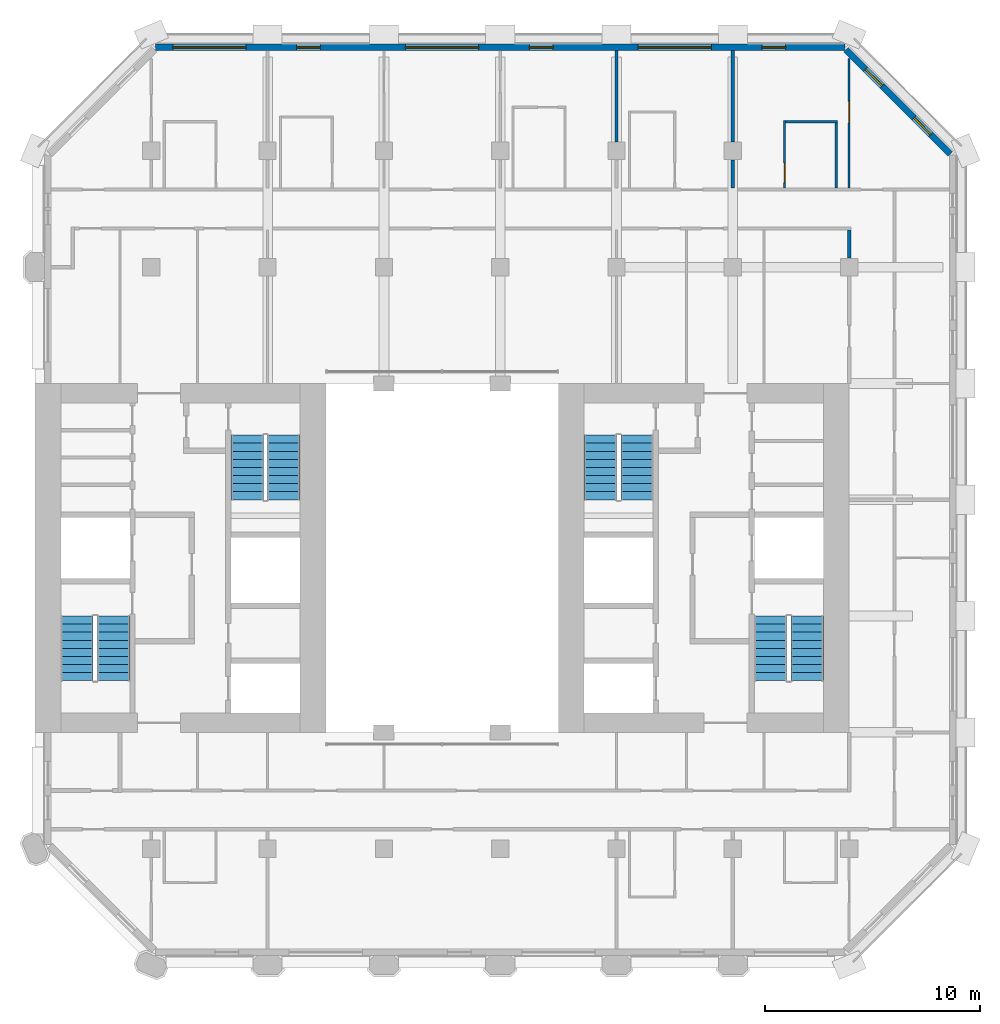
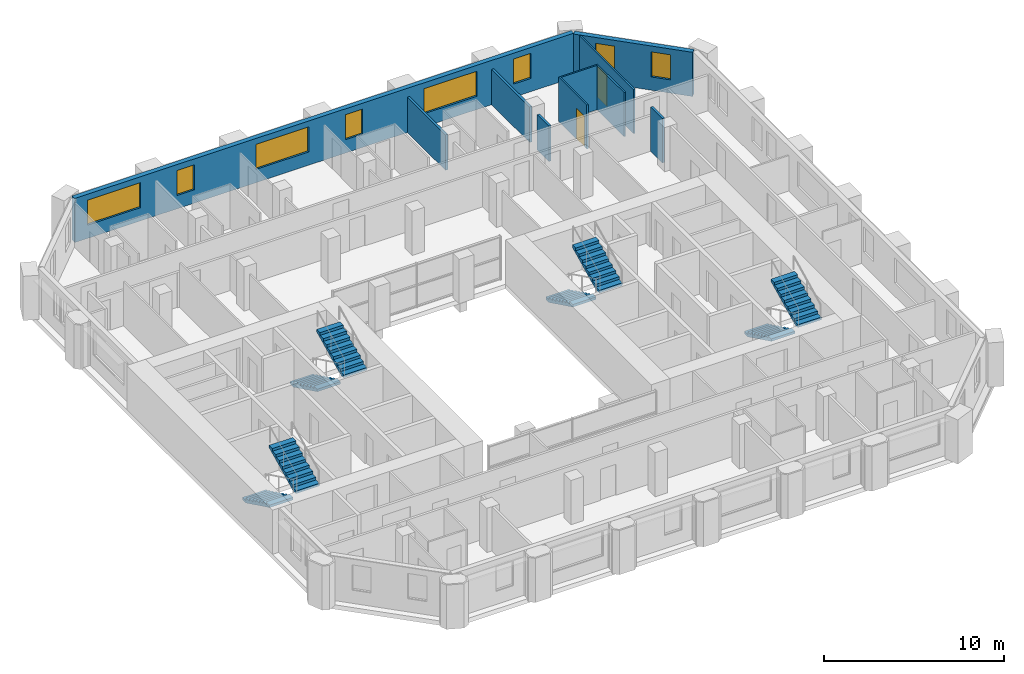
# One storey, part 9 of 12: 10 walls, 8 stair flights, 8 windows, 2 doors, 10 openings, 4 elements without a shape of their own.
"""IFC4 building model written with IfcOpenShell, lengths in metres."""

import ifcopenshell
import ifcopenshell.guid

model = None  # the IFC model being written
_history = None  # IfcOwnerHistory: only IFC2X3 demands one
_inside = {}  # id of a spatial element -> (the spatial element, [elements in it])
_under = {}  # id of a project, library or spatial element -> (it, [spatial elements below it])
_declared = {}  # id of a project -> (the project, [libraries it declares])
_typed = {}  # id of a type object -> (the type object, [elements of that type])
_made_of = {}  # id of a material, layer set ... -> (it, [elements and type objects made of it])


def new_model(schema):
    """Start an empty IFC model of exactly this schema.

    Asked for "IFC4X3", IfcOpenShell would pick the latest addendum, in which some entities
    have other attributes; the version numbers below select the first issue.
    IFC2X3 requires an IfcOwnerHistory on every rooted entity: one is made here for all.
    """
    global model, _history
    if schema == "IFC4X3":
        model = ifcopenshell.file(schema_version=(4, 3, 0, 0))
    else:
        model = ifcopenshell.file(schema=schema)
    _inside.clear()
    _under.clear()
    _declared.clear()
    _typed.clear()
    _made_of.clear()
    _history = None
    if model.schema == "IFC2X3":
        org = make("IfcOrganization", Name="unknown")
        user = make(
            "IfcPersonAndOrganization",
            ThePerson=make("IfcPerson", FamilyName="unknown"),
            TheOrganization=org,
        )
        app = make(
            "IfcApplication",
            ApplicationDeveloper=org,
            Version="unknown",
            ApplicationFullName="unknown",
            ApplicationIdentifier="unknown",
        )
        _history = make(
            "IfcOwnerHistory",
            OwningUser=user,
            OwningApplication=app,
            ChangeAction="ADDED",
            CreationDate=0,
        )
    return model


def make(cls, **values):
    """One entity of the class cls with the attributes given. An attribute that is None is left unset."""
    return model.create_entity(
        cls, **{name: value for name, value in values.items() if value is not None}
    )


def rooted(cls, **values):
    """An entity with a GlobalId (a new one), such as an element, a storey or a relation."""
    return make(cls, GlobalId=ifcopenshell.guid.new(), OwnerHistory=_history, **values)


def si_unit(unit_type, name, prefix=None):
    """IfcSIUnit, for example si_unit("LENGTHUNIT", "METRE", prefix="MILLI")."""
    return make("IfcSIUnit", UnitType=unit_type, Prefix=prefix, Name=name)


def assignment(units):
    """IfcUnitAssignment: the units of a project."""
    return None if units is None else make("IfcUnitAssignment", Units=units)


def point(xyz):
    """IfcCartesianPoint."""
    return None if xyz is None else make("IfcCartesianPoint", Coordinates=xyz)


def direction(xyz):
    """IfcDirection."""
    return None if xyz is None else make("IfcDirection", DirectionRatios=xyz)


def frame(location, z_axis=None, x_axis=None):
    """IfcAxis2Placement3D, a coordinate frame: its origin and axes. An axis left out is left unset."""
    return make(
        "IfcAxis2Placement3D",
        Location=point(location),
        Axis=direction(z_axis),
        RefDirection=direction(x_axis),
    )


def frame_2d(location, x_axis=None):
    """IfcAxis2Placement2D, a coordinate frame in the plane: its origin and x axis."""
    return make(
        "IfcAxis2Placement2D", Location=point(location), RefDirection=direction(x_axis)
    )


def origin():
    """The frame at (0, 0, 0) with its axes left unset."""
    return frame((0.0, 0.0, 0.0))


def place(relative_to, where):
    """IfcLocalPlacement: puts the frame where relative to a parent placement (None: the world)."""
    return make(
        "IfcLocalPlacement", PlacementRelTo=relative_to, RelativePlacement=where
    )


def context(
    kind, dimensions, precision=None, world=None, true_north=None, identifier=None
):
    """IfcGeometricRepresentationContext, for example the 3D "Model" context."""
    return make(
        "IfcGeometricRepresentationContext",
        ContextIdentifier=identifier,
        ContextType=kind,
        CoordinateSpaceDimension=dimensions,
        Precision=precision,
        WorldCoordinateSystem=world,
        TrueNorth=true_north,
    )


def subcontext(parent, identifier, kind, view, scale=None):
    """IfcGeometricRepresentationSubContext, for example "Body" below "Model"."""
    return make(
        "IfcGeometricRepresentationSubContext",
        ContextIdentifier=identifier,
        ContextType=kind,
        ParentContext=parent,
        TargetScale=scale,
        TargetView=view,
    )


def project(units=None, contexts=None):
    """IfcProject with its units and contexts."""
    return rooted(
        "IfcProject",
        Name="project",
        RepresentationContexts=contexts,
        UnitsInContext=assignment(units),
    )


def spatial(cls, under=None, at=None, **own):
    """A site, building, storey or space (cls), placed at a placement, below another one or the project."""
    s = rooted(cls, ObjectPlacement=at, **own)
    if under is not None:
        _under.setdefault(under.id(), (under, []))[1].append(s)
    return s


def polyline(points):
    """IfcPolyline through the points."""
    return make("IfcPolyline", Points=[point(p) for p in points])


def profile(cls, at=None, kind="AREA", **sizes):
    """A parametric profile (cls). Its sizes go by their IFC names, for example OverallWidth=200.0."""
    return make(cls, ProfileType=kind, Position=at, **sizes)


def rectangle(**sizes):
    """IfcRectangleProfileDef."""
    return profile("IfcRectangleProfileDef", **sizes)


def outline(outer, holes=None, kind="AREA"):
    """IfcArbitraryClosedProfileDef: a profile drawn as a closed curve; with holes, ...WithVoids."""
    if holes is None:
        return make("IfcArbitraryClosedProfileDef", ProfileType=kind, OuterCurve=outer)
    return make(
        "IfcArbitraryProfileDefWithVoids",
        ProfileType=kind,
        OuterCurve=outer,
        InnerCurves=holes,
    )


def extrude(swept, where, along, depth):
    """IfcExtrudedAreaSolid: the profile swept, set in the frame where, extruded along a direction by depth."""
    return make(
        "IfcExtrudedAreaSolid",
        SweptArea=swept,
        Position=where,
        ExtrudedDirection=direction(along),
        Depth=depth,
    )


def shape(context_of_items, identifier, shape_type, items):
    """IfcShapeRepresentation: the items that make up one representation, for example the "Body"."""
    return make(
        "IfcShapeRepresentation",
        ContextOfItems=context_of_items,
        RepresentationIdentifier=identifier,
        RepresentationType=shape_type,
        Items=items,
    )


def material(Name=None, Category=None):
    """IfcMaterial."""
    return make("IfcMaterial", Name=Name, Category=Category)


def layer(
    of_material, thickness, ventilated=None, Name=None, Category=None, Priority=None
):
    """IfcMaterialLayer: one layer of a wall or slab, of a material (None: an air gap)."""
    return make(
        "IfcMaterialLayer",
        Material=of_material,
        LayerThickness=thickness,
        IsVentilated=ventilated,
        Name=Name,
        Category=Category,
        Priority=Priority,
    )


def layer_set(layers, Name=None):
    """IfcMaterialLayerSet."""
    return make("IfcMaterialLayerSet", MaterialLayers=layers, LayerSetName=Name)


def made_of(thing, what):
    """Note that an element or type object is made of a material, layer set ...; save() writes the relation."""
    if what is not None:
        _made_of.setdefault(what.id(), (what, []))[1].append(thing)
    return thing


def type_object(cls, material=None, **own):
    """A type object (cls), such as IfcWallType, which elements share."""
    return made_of(rooted(cls, **own), material)


def element(
    cls,
    number,
    at=None,
    inside=None,
    cuts=None,
    type_object=None,
    material=None,
    context=None,
    identifier="Body",
    shape_type=None,
    held_by="IfcProductDefinitionShape",
    body=None,
    shapes=None,
    **own,
):
    """One element of the class cls, such as IfcWall. Its Tag is "e" and its number.

    at: its placement. inside: the storey or other place that contains it. cuts: it is an
    opening in that element (IfcRelVoidsElement). A single representation is given by context,
    identifier, shape_type and body (its items); several are given by shapes. held_by: the class
    of the entity that holds the representations. save() writes the other relations.
    """
    e = rooted(cls, Tag="e%d" % number, ObjectPlacement=at, **own)
    if body is not None:
        shapes = [shape(context, identifier, shape_type, body)]
    if shapes is not None:
        e.Representation = make(held_by, Representations=shapes)
    if inside is not None:
        _inside.setdefault(inside.id(), (inside, []))[1].append(e)
    if cuts is not None:
        rooted(
            "IfcRelVoidsElement", RelatingBuildingElement=cuts, RelatedOpeningElement=e
        )
    if type_object is not None:
        _typed.setdefault(type_object.id(), (type_object, []))[1].append(e)
    return made_of(e, material)


def fill(opening, filler):
    """IfcRelFillsElement: the door or window that sits in an opening."""
    return rooted(
        "IfcRelFillsElement",
        RelatingOpeningElement=opening,
        RelatedBuildingElement=filler,
    )


def aggregate(whole, parts):
    """IfcRelAggregates: a whole, such as a stair, and the parts it consists of."""
    return rooted("IfcRelAggregates", RelatingObject=whole, RelatedObjects=parts)


def save(model, path):
    """Write the relations noted so far, then the file.

    IfcRelAggregates (storeys below a building ...), IfcRelContainedInSpatialStructure (elements
    in a storey), IfcRelDefinesByType, IfcRelAssociatesMaterial and IfcRelDeclares: one each for
    every whole, place, type object, material and project.
    """
    for whole, parts in _under.values():
        aggregate(whole, parts)
    for where, things in _inside.values():
        rooted(
            "IfcRelContainedInSpatialStructure",
            RelatedElements=things,
            RelatingStructure=where,
        )
    for kind, things in _typed.values():
        rooted("IfcRelDefinesByType", RelatedObjects=things, RelatingType=kind)
    for what, things in _made_of.values():
        rooted("IfcRelAssociatesMaterial", RelatedObjects=things, RelatingMaterial=what)
    for by, libraries in _declared.values():
        rooted("IfcRelDeclares", RelatingContext=by, RelatedDefinitions=libraries)
    model.write(path)


model = new_model("IFC4")

# Units and contexts
model_context = context("Model", 3, precision=1e-05, world=origin(), true_north=direction((0.0, 1.0)))
body_context = subcontext(model_context, "Body", "Model", "MODEL_VIEW")
ifc_project = project(units=[si_unit("LENGTHUNIT", "METRE"), si_unit("AREAUNIT", "SQUARE_METRE"), si_unit("VOLUMEUNIT", "CUBIC_METRE"), si_unit("PLANEANGLEUNIT", "RADIAN"), si_unit("MASSUNIT", "GRAM", prefix="KILO")], contexts=[model_context])

# Site, building, storey
site_placement = place(None, origin())
site = spatial("IfcSite", under=ifc_project, at=site_placement, CompositionType="ELEMENT")
building_placement = place(site_placement, origin())
building = spatial("IfcBuilding", under=site, at=building_placement, Name="Tabaq Tower and Sports Hall", CompositionType="ELEMENT")
storey_placement = place(building_placement, frame((0.0, 0.0, 197.199951171875)))
storey = spatial("IfcBuildingStorey", under=building, at=storey_placement, Name="L48", CompositionType="ELEMENT", Elevation=197.199951171875)

# Wall, opening, door
ifc_material_1 = material(Name="Gypsum board on steel studs", Category="steel")
ifc_layer_1 = layer(ifc_material_1, 0.10009765625)
ifc_layer_set_1 = layer_set([ifc_layer_1], Name="Partition 100 Gypsum board")
wall_type_1 = type_object("IfcWallType", Name="Partition 100 Gypsum board", PredefinedType="PARTITIONING", material=ifc_layer_set_1)
wall_1_placement = place(storey_placement, frame((40.199951171875, 41.47509765625, 0.0), z_axis=(0.0, 0.0, 1.0), x_axis=(0.0, 1.0, 0.0)))
wall_1 = element("IfcWall", 1, at=wall_1_placement, inside=storey, type_object=wall_type_1, Name="Partition wall L48", PredefinedType="PARTITIONING", context=body_context, shape_type="SweptSolid", body=[
    extrude(rectangle(XDim=3.125, YDim=0.10009765625, at=frame_2d((1.5625, 0.0))), origin(), (0.0, 0.0, 1.0), 3.0),
])
opening_1_placement = place(wall_1_placement, frame((0.25, 0.0, 0.0)))
opening_1 = element("IfcOpeningElement", 2, at=opening_1_placement, cuts=wall_1, Name="Opening L48-006", PredefinedType="OPENING", context=body_context, shape_type="SweptSolid", body=[
    extrude(rectangle(XDim=0.89990234375, YDim=2.10009765625, at=frame_2d((0.449951171875, 1.050048828125))), frame((0.0, 0.050048828125, 0.0), z_axis=(0.0, -1.0, 0.0), x_axis=(1.0, 0.0, 0.0)), (0.0, 0.0, 1.0), 0.10009765625),
])
ifc_material_2 = material(Name="Timber leaf in steel frame", Category="steel")
door_type_1 = type_object("IfcDoorType", Name="Internal door 900 left hand", OperationType="SINGLE_SWING_LEFT", PredefinedType="DOOR", material=ifc_material_2)
door_1_placement = place(opening_1_placement, origin())
door_1 = element("IfcDoor", 3, at=door_1_placement, inside=storey, type_object=door_type_1, Name="Internal door L48-006", OperationType="SINGLE_SWING_LEFT", OverallHeight=2.10009765625, OverallWidth=0.89990234375, PredefinedType="DOOR", context=body_context, shape_type="SweptSolid", body=[
    extrude(rectangle(XDim=0.89990234375, YDim=2.10009765625, at=frame_2d((0.449951171875, 1.050048828125))), frame((0.0, 0.02490234375, 0.0), z_axis=(0.0, -1.0, 0.0), x_axis=(1.0, 0.0, 0.0)), (0.0, 0.0, 1.0), 0.050048828125),
])
fill(opening_1, door_1)

# Walls
wall_2_placement = place(storey_placement, frame((40.25, 44.550048828125, 0.0), z_axis=(0.0, 0.0, 1.0), x_axis=(1.0, 0.0, 0.0)))
element("IfcWall", 4, at=wall_2_placement, inside=storey, type_object=wall_type_1, Name="Partition wall L48", PredefinedType="PARTITIONING", context=body_context, shape_type="SweptSolid", body=[
    extrude(rectangle(XDim=2.39990234375, YDim=0.10009765625, at=frame_2d((1.199951171875, 0.0))), origin(), (0.0, 0.0, 1.0), 3.0),
])
wall_3_placement = place(storey_placement, frame((42.60009765625, 44.5, 0.0), z_axis=(0.0, 0.0, 1.0), x_axis=(0.0, -1.0, 0.0)))
element("IfcWall", 5, at=wall_3_placement, inside=storey, type_object=wall_type_1, Name="Partition wall L48", PredefinedType="PARTITIONING", context=body_context, shape_type="SweptSolid", body=[
    extrude(rectangle(XDim=3.02490234375, YDim=0.10009765625, at=frame_2d((1.512451171875, 0.0))), origin(), (0.0, 0.0, 1.0), 3.0),
])

# Wall, opening, door
wall_4_placement = place(storey_placement, frame((43.199951171875, 41.47509765625, 0.0), z_axis=(0.0, 0.0, 1.0), x_axis=(0.0, 1.0, 0.0)))
wall_4 = element("IfcWall", 6, at=wall_4_placement, inside=storey, type_object=wall_type_1, Name="Partition wall L48", PredefinedType="PARTITIONING", context=body_context, shape_type="SweptSolid", body=[
    extrude(rectangle(XDim=6.0126953125, YDim=0.10009765625, at=frame_2d((3.00634765625, 0.0))), origin(), (0.0, 0.0, 1.0), 3.0),
])
opening_2_placement = place(wall_4_placement, frame((3.02490234375, 0.0, 0.0)))
opening_2 = element("IfcOpeningElement", 7, at=opening_2_placement, cuts=wall_4, Name="Opening L48-030", PredefinedType="OPENING", context=body_context, shape_type="SweptSolid", body=[
    extrude(rectangle(XDim=1.0, YDim=2.10009765625, at=frame_2d((0.5, 1.050048828125))), frame((0.0, 0.050048828125, 0.0), z_axis=(0.0, -1.0, 0.0), x_axis=(1.0, 0.0, 0.0)), (0.0, 0.0, 1.0), 0.10009765625),
])
ifc_material_3 = material(Name="Timber leaf in steel frame", Category="steel")
door_type_2 = type_object("IfcDoorType", Name="Internal door 1000 left hand", OperationType="SINGLE_SWING_LEFT", PredefinedType="DOOR", material=ifc_material_3)
door_2_placement = place(opening_2_placement, origin())
door_2 = element("IfcDoor", 8, at=door_2_placement, inside=storey, type_object=door_type_2, Name="Internal door L48-030", OperationType="SINGLE_SWING_LEFT", OverallHeight=2.10009765625, OverallWidth=1.0, PredefinedType="DOOR", context=body_context, shape_type="SweptSolid", body=[
    extrude(rectangle(XDim=1.0, YDim=2.10009765625, at=frame_2d((0.5, 1.050048828125))), frame((0.0, 0.02490234375, 0.0), z_axis=(0.0, -1.0, 0.0), x_axis=(1.0, 0.0, 0.0)), (0.0, 0.0, 1.0), 0.050048828125),
])
fill(opening_2, door_2)

# Walls
ifc_material_4 = material(Name="Blockwork", Category="masonry")
ifc_layer_2 = layer(ifc_material_4, 0.14990234375)
ifc_layer_set_2 = layer_set([ifc_layer_2], Name="Separating wall 150 Blockwork")
wall_type_2 = type_object("IfcWallType", Name="Separating wall 150 Blockwork", PredefinedType="PARTITIONING", material=ifc_layer_set_2)
wall_5_placement = place(storey_placement, frame((32.39990234375, 43.6201171875, 0.0), z_axis=(0.0, 0.0, 1.0), x_axis=(0.0, 1.0, 0.0)))
element("IfcWall", 9, at=wall_5_placement, inside=storey, type_object=wall_type_2, Name="Separating wall L48", PredefinedType="PARTITIONING", context=body_context, shape_type="SweptSolid", body=[
    extrude(rectangle(XDim=4.22900390625, YDim=0.14990234375, at=frame_2d((2.114501953125, 0.0))), origin(), (0.0, 0.0, 1.0), 2.400146484375),
])
wall_6_placement = place(storey_placement, frame((37.800048828125, 41.47509765625, 0.0), z_axis=(0.0, 0.0, 1.0), x_axis=(0.0, 1.0, 0.0)))
element("IfcWall", 10, at=wall_6_placement, inside=storey, type_object=wall_type_2, Name="Separating wall L48", PredefinedType="PARTITIONING", context=body_context, shape_type="SweptSolid", body=[
    extrude(rectangle(XDim=1.304931640625, YDim=0.14990234375, at=frame_2d((0.65234375, 0.0))), origin(), (0.0, 0.0, 1.0), 2.400146484375),
])
wall_7_placement = place(storey_placement, frame((37.800048828125, 43.6201171875, 0.0), z_axis=(0.0, 0.0, 1.0), x_axis=(0.0, 1.0, 0.0)))
element("IfcWall", 11, at=wall_7_placement, inside=storey, type_object=wall_type_2, Name="Separating wall L48", PredefinedType="PARTITIONING", context=body_context, shape_type="SweptSolid", body=[
    extrude(rectangle(XDim=4.22900390625, YDim=0.14990234375, at=frame_2d((2.114501953125, 0.0))), origin(), (0.0, 0.0, 1.0), 2.400146484375),
])
wall_8_placement = place(storey_placement, frame((43.199951171875, 39.52490234375, 0.0), z_axis=(0.0, 0.0, 1.0), x_axis=(0.0, -1.0, 0.0)))
element("IfcWall", 12, at=wall_8_placement, inside=storey, type_object=wall_type_2, Name="Separating wall L48", PredefinedType="PARTITIONING", context=body_context, shape_type="SweptSolid", body=[
    extrude(rectangle(XDim=1.304931640625, YDim=0.14990234375, at=frame_2d((0.65234375, 0.0))), origin(), (0.0, 0.0, 1.0), 3.0),
])

# Wall, openings, windows
ifc_material_5 = material(Name="White precast concrete C60/75", Category="concrete")
ifc_layer_3 = layer(ifc_material_5, 0.300048828125)
ifc_layer_set_3 = layer_set([ifc_layer_3], Name="White precast concrete C60/75 external wall 300")
wall_type_3 = type_object("IfcWallType", Name="White precast concrete C60/75 external wall 300", PredefinedType="SOLIDWALL", material=ifc_layer_set_3)
wall_9_placement = place(storey_placement, frame((47.901123046875, 43.050537109375, 0.0), z_axis=(0.0, 0.0, 1.0), x_axis=(-0.707106781187, 0.707106781187, 0.0)))
wall_9 = element("IfcWall", 13, at=wall_9_placement, inside=storey, type_object=wall_type_3, Name="External Wall L48 NE", PredefinedType="SOLIDWALL", context=body_context, shape_type="SweptSolid", body=[
    extrude(rectangle(XDim=6.85986328125, YDim=0.300048828125, at=frame_2d((3.429931640625, 0.0))), origin(), (0.0, 0.0, 1.0), 3.0),
])
opening_3_placement = place(wall_9_placement, frame((1.27978515625, 0.0, 0.89990234375)))
opening_3 = element("IfcOpeningElement", 14, at=opening_3_placement, cuts=wall_9, Name="Opening W1B", PredefinedType="OPENING", context=body_context, shape_type="SweptSolid", body=[
    extrude(rectangle(XDim=1.10009765625, YDim=1.699951171875, at=frame_2d((0.550048828125, 0.85009765625))), frame((0.0, 0.16015625, 0.0), z_axis=(0.0, -1.0, 0.0), x_axis=(1.0, 0.0, 0.0)), (0.0, 0.0, 1.0), 0.320068359375),
])
opening_4_placement = place(wall_9_placement, frame((4.479736328125, 0.0, 0.89990234375)))
opening_4 = element("IfcOpeningElement", 15, at=opening_4_placement, cuts=wall_9, Name="Opening W1B", PredefinedType="OPENING", context=body_context, shape_type="SweptSolid", body=[
    extrude(rectangle(XDim=1.10009765625, YDim=1.699951171875, at=frame_2d((0.550048828125, 0.85009765625))), frame((0.0, 0.16015625, 0.0), z_axis=(0.0, -1.0, 0.0), x_axis=(1.0, 0.0, 0.0)), (0.0, 0.0, 1.0), 0.320068359375),
])
ifc_material_6 = material(Name="Aluminium framed clear glazing", Category="aluminium")
window_type_1 = type_object("IfcWindowType", Name="Window W1B", PartitioningType="SINGLE_PANEL", PredefinedType="WINDOW", material=ifc_material_6)
window_1_placement = place(opening_3_placement, origin())
window_1 = element("IfcWindow", 16, at=window_1_placement, inside=storey, type_object=window_type_1, Name="Window W1B L48", OverallHeight=1.699951171875, OverallWidth=1.10009765625, PartitioningType="SINGLE_PANEL", PredefinedType="WINDOW", context=body_context, shape_type="SweptSolid", body=[
    extrude(rectangle(XDim=1.10009765625, YDim=1.699951171875, at=frame_2d((0.550048828125, 0.85009765625))), frame((0.0, 0.030029296875, 0.0), z_axis=(0.0, -1.0, 0.0), x_axis=(1.0, 0.0, 0.0)), (0.0, 0.0, 1.0), 0.06005859375),
])
fill(opening_3, window_1)
window_2_placement = place(opening_4_placement, origin())
window_2 = element("IfcWindow", 17, at=window_2_placement, inside=storey, type_object=window_type_1, Name="Window W1B L48", OverallHeight=1.699951171875, OverallWidth=1.10009765625, PartitioningType="SINGLE_PANEL", PredefinedType="WINDOW", context=body_context, shape_type="SweptSolid", body=[
    extrude(rectangle(XDim=1.10009765625, YDim=1.699951171875, at=frame_2d((0.550048828125, 0.85009765625))), frame((0.0, 0.030029296875, 0.0), z_axis=(0.0, -1.0, 0.0), x_axis=(1.0, 0.0, 0.0)), (0.0, 0.0, 1.0), 0.06005859375),
])
fill(opening_4, window_2)

wall_10_placement = place(storey_placement, frame((43.013671875, 48.0, 0.0), z_axis=(0.0, 0.0, 1.0), x_axis=(-1.0, 0.0, 0.0)))
wall_10 = element("IfcWall", 18, at=wall_10_placement, inside=storey, type_object=wall_type_3, Name="External Wall L48 N", PredefinedType="SOLIDWALL", context=body_context, shape_type="SweptSolid", body=[
    extrude(rectangle(XDim=32.02734375, YDim=0.300048828125, at=frame_2d((16.013671875, 0.0))), origin(), (0.0, 0.0, 1.0), 3.0),
])
opening_5_placement = place(wall_10_placement, frame((2.763671875, 0.0, 0.89990234375)))
opening_5 = element("IfcOpeningElement", 19, at=opening_5_placement, cuts=wall_10, Name="Opening W1B", PredefinedType="OPENING", context=body_context, shape_type="SweptSolid", body=[
    extrude(rectangle(XDim=1.10009765625, YDim=1.699951171875, at=frame_2d((0.550048828125, 0.85009765625))), frame((0.0, 0.16015625, 0.0), z_axis=(0.0, -1.0, 0.0), x_axis=(1.0, 0.0, 0.0)), (0.0, 0.0, 1.0), 0.320068359375),
])
opening_6_placement = place(wall_10_placement, frame((6.213623046875, 0.0, 0.89990234375)))
opening_6 = element("IfcOpeningElement", 20, at=opening_6_placement, cuts=wall_10, Name="Opening W1A", PredefinedType="OPENING", context=body_context, shape_type="SweptSolid", body=[
    extrude(rectangle(XDim=3.39990234375, YDim=1.699951171875, at=frame_2d((1.699951171875, 0.85009765625))), frame((0.0, 0.16015625, 0.0), z_axis=(0.0, -1.0, 0.0), x_axis=(1.0, 0.0, 0.0)), (0.0, 0.0, 1.0), 0.320068359375),
])
opening_7_placement = place(wall_10_placement, frame((13.563720703125, 0.0, 0.89990234375)))
opening_7 = element("IfcOpeningElement", 21, at=opening_7_placement, cuts=wall_10, Name="Opening W1B", PredefinedType="OPENING", context=body_context, shape_type="SweptSolid", body=[
    extrude(rectangle(XDim=1.10009765625, YDim=1.699951171875, at=frame_2d((0.550048828125, 0.85009765625))), frame((0.0, 0.16015625, 0.0), z_axis=(0.0, -1.0, 0.0), x_axis=(1.0, 0.0, 0.0)), (0.0, 0.0, 1.0), 0.320068359375),
])
opening_8_placement = place(wall_10_placement, frame((17.013671875, 0.0, 0.89990234375)))
opening_8 = element("IfcOpeningElement", 22, at=opening_8_placement, cuts=wall_10, Name="Opening W1A", PredefinedType="OPENING", context=body_context, shape_type="SweptSolid", body=[
    extrude(rectangle(XDim=3.39990234375, YDim=1.699951171875, at=frame_2d((1.699951171875, 0.85009765625))), frame((0.0, 0.16015625, 0.0), z_axis=(0.0, -1.0, 0.0), x_axis=(1.0, 0.0, 0.0)), (0.0, 0.0, 1.0), 0.320068359375),
])
opening_9_placement = place(wall_10_placement, frame((24.363525390625, 0.0, 0.89990234375)))
opening_9 = element("IfcOpeningElement", 23, at=opening_9_placement, cuts=wall_10, Name="Opening W1B", PredefinedType="OPENING", context=body_context, shape_type="SweptSolid", body=[
    extrude(rectangle(XDim=1.10009765625, YDim=1.699951171875, at=frame_2d((0.550048828125, 0.85009765625))), frame((0.0, 0.16015625, 0.0), z_axis=(0.0, -1.0, 0.0), x_axis=(1.0, 0.0, 0.0)), (0.0, 0.0, 1.0), 0.320068359375),
])
opening_10_placement = place(wall_10_placement, frame((27.813720703125, 0.0, 0.89990234375)))
opening_10 = element("IfcOpeningElement", 24, at=opening_10_placement, cuts=wall_10, Name="Opening W1A", PredefinedType="OPENING", context=body_context, shape_type="SweptSolid", body=[
    extrude(rectangle(XDim=3.39990234375, YDim=1.699951171875, at=frame_2d((1.699951171875, 0.85009765625))), frame((0.0, 0.16015625, 0.0), z_axis=(0.0, -1.0, 0.0), x_axis=(1.0, 0.0, 0.0)), (0.0, 0.0, 1.0), 0.320068359375),
])
ifc_material_7 = material(Name="Aluminium framed clear glazing", Category="aluminium")
window_type_2 = type_object("IfcWindowType", Name="Window W1A", PartitioningType="SINGLE_PANEL", PredefinedType="WINDOW", material=ifc_material_7)
window_3_placement = place(opening_6_placement, origin())
window_3 = element("IfcWindow", 25, at=window_3_placement, inside=storey, type_object=window_type_2, Name="Window W1A L48", OverallHeight=1.699951171875, OverallWidth=3.39990234375, PartitioningType="SINGLE_PANEL", PredefinedType="WINDOW", context=body_context, shape_type="SweptSolid", body=[
    extrude(rectangle(XDim=3.39990234375, YDim=1.699951171875, at=frame_2d((1.699951171875, 0.85009765625))), frame((0.0, 0.030029296875, 0.0), z_axis=(0.0, -1.0, 0.0), x_axis=(1.0, 0.0, 0.0)), (0.0, 0.0, 1.0), 0.06005859375),
])
fill(opening_6, window_3)
window_4_placement = place(opening_8_placement, origin())
window_4 = element("IfcWindow", 26, at=window_4_placement, inside=storey, type_object=window_type_2, Name="Window W1A L48", OverallHeight=1.699951171875, OverallWidth=3.39990234375, PartitioningType="SINGLE_PANEL", PredefinedType="WINDOW", context=body_context, shape_type="SweptSolid", body=[
    extrude(rectangle(XDim=3.39990234375, YDim=1.699951171875, at=frame_2d((1.699951171875, 0.85009765625))), frame((0.0, 0.030029296875, 0.0), z_axis=(0.0, -1.0, 0.0), x_axis=(1.0, 0.0, 0.0)), (0.0, 0.0, 1.0), 0.06005859375),
])
fill(opening_8, window_4)
window_5_placement = place(opening_10_placement, origin())
window_5 = element("IfcWindow", 27, at=window_5_placement, inside=storey, type_object=window_type_2, Name="Window W1A L48", OverallHeight=1.699951171875, OverallWidth=3.39990234375, PartitioningType="SINGLE_PANEL", PredefinedType="WINDOW", context=body_context, shape_type="SweptSolid", body=[
    extrude(rectangle(XDim=3.39990234375, YDim=1.699951171875, at=frame_2d((1.699951171875, 0.85009765625))), frame((0.0, 0.030029296875, 0.0), z_axis=(0.0, -1.0, 0.0), x_axis=(1.0, 0.0, 0.0)), (0.0, 0.0, 1.0), 0.06005859375),
])
fill(opening_10, window_5)
window_6_placement = place(opening_5_placement, origin())
window_6 = element("IfcWindow", 28, at=window_6_placement, inside=storey, type_object=window_type_1, Name="Window W1B L48", OverallHeight=1.699951171875, OverallWidth=1.10009765625, PartitioningType="SINGLE_PANEL", PredefinedType="WINDOW", context=body_context, shape_type="SweptSolid", body=[
    extrude(rectangle(XDim=1.10009765625, YDim=1.699951171875, at=frame_2d((0.550048828125, 0.85009765625))), frame((0.0, 0.030029296875, 0.0), z_axis=(0.0, -1.0, 0.0), x_axis=(1.0, 0.0, 0.0)), (0.0, 0.0, 1.0), 0.06005859375),
])
fill(opening_5, window_6)
window_7_placement = place(opening_7_placement, origin())
window_7 = element("IfcWindow", 29, at=window_7_placement, inside=storey, type_object=window_type_1, Name="Window W1B L48", OverallHeight=1.699951171875, OverallWidth=1.10009765625, PartitioningType="SINGLE_PANEL", PredefinedType="WINDOW", context=body_context, shape_type="SweptSolid", body=[
    extrude(rectangle(XDim=1.10009765625, YDim=1.699951171875, at=frame_2d((0.550048828125, 0.85009765625))), frame((0.0, 0.030029296875, 0.0), z_axis=(0.0, -1.0, 0.0), x_axis=(1.0, 0.0, 0.0)), (0.0, 0.0, 1.0), 0.06005859375),
])
fill(opening_7, window_7)
window_8_placement = place(opening_9_placement, origin())
window_8 = element("IfcWindow", 30, at=window_8_placement, inside=storey, type_object=window_type_1, Name="Window W1B L48", OverallHeight=1.699951171875, OverallWidth=1.10009765625, PartitioningType="SINGLE_PANEL", PredefinedType="WINDOW", context=body_context, shape_type="SweptSolid", body=[
    extrude(rectangle(XDim=1.10009765625, YDim=1.699951171875, at=frame_2d((0.550048828125, 0.85009765625))), frame((0.0, 0.030029296875, 0.0), z_axis=(0.0, -1.0, 0.0), x_axis=(1.0, 0.0, 0.0)), (0.0, 0.0, 1.0), 0.06005859375),
])
fill(opening_9, window_8)

# Stair, stair flights
ifc_material_8 = material(Name="Concrete C40/50", Category="concrete")
stair_type = type_object("IfcStairType", Name="Exit stair", PredefinedType="HALF_TURN_STAIR", material=ifc_material_8)
stair_1_placement = place(storey_placement, origin())
stair_1 = element("IfcStair", 31, at=stair_1_placement, inside=storey, type_object=stair_type, Name="L48 Exit stair ST1", PredefinedType="HALF_TURN_STAIR")
ifc_material_9 = material(Name="Concrete C40/50", Category="concrete")
stair_flight_type = type_object("IfcStairFlightType", Name="Exit stair flight", PredefinedType="STRAIGHT", material=ifc_material_9)
stair_flight_1_placement = place(storey_placement, frame((7.35009765625, 21.60009765625, 0.0), z_axis=(0.0, 0.0, 1.0), x_axis=(0.0, -1.0, 0.0)))
stair_flight_1 = element("IfcStairFlight", 32, at=stair_flight_1_placement, type_object=stair_flight_type, Name="ST1 flight 1", NumberOfRisers=9, NumberOfTreads=8, PredefinedType="STRAIGHT", RiserHeight=0.183333333, TreadLength=0.375, context=body_context, shape_type="SweptSolid", body=[
    extrude(outline(polyline([(0.0, 0.0), (0.0, 0.183349609375), (0.375, 0.183349609375), (0.375, 0.36669921875), (0.75, 0.36669921875), (0.75, 0.550048828125), (1.125, 0.550048828125), (1.125, 0.7333984375), (1.5, 0.7333984375), (1.5, 0.916748046875), (1.875, 0.916748046875), (1.875, 1.10009765625), (2.25, 1.10009765625), (2.25, 1.283447265625), (2.625, 1.283447265625), (2.625, 1.466552734375), (3.0, 1.466552734375), (3.0, 1.64990234375), (3.0, 1.2998046875), (0.34130859375, 0.0), (0.0, 0.0)])), frame((0.0, 0.75, 0.0), z_axis=(0.0, -1.0, 0.0), x_axis=(1.0, 0.0, 0.0)), (0.0, 0.0, 1.0), 1.5),
])
stair_flight_2_placement = place(storey_placement, frame((9.050048828125, 18.60009765625, 1.650146484375), z_axis=(0.0, 0.0, 1.0), x_axis=(0.0, 1.0, 0.0)))
stair_flight_2 = element("IfcStairFlight", 33, at=stair_flight_2_placement, type_object=stair_flight_type, Name="ST1 flight 2", NumberOfRisers=9, NumberOfTreads=8, PredefinedType="STRAIGHT", RiserHeight=0.183333333, TreadLength=0.375, context=body_context, shape_type="SweptSolid", body=[
    extrude(outline(polyline([(0.0, 0.0), (0.0, 0.183349609375), (0.375, 0.183349609375), (0.375, 0.36669921875), (0.75, 0.36669921875), (0.75, 0.550048828125), (1.125, 0.550048828125), (1.125, 0.7333984375), (1.5, 0.7333984375), (1.5, 0.916748046875), (1.875, 0.916748046875), (1.875, 1.10009765625), (2.25, 1.10009765625), (2.25, 1.283447265625), (2.625, 1.283447265625), (2.625, 1.466552734375), (3.0, 1.466552734375), (3.0, 1.64990234375), (3.0, 1.2998046875), (0.34130859375, 0.0), (0.0, 0.0)])), frame((0.0, 0.75, 0.0), z_axis=(0.0, -1.0, 0.0), x_axis=(1.0, 0.0, 0.0)), (0.0, 0.0, 1.0), 1.5),
])
aggregate(stair_1, [stair_flight_1, stair_flight_2])

stair_2_placement = place(storey_placement, origin())
stair_2 = element("IfcStair", 34, at=stair_2_placement, inside=storey, type_object=stair_type, Name="L48 Exit stair ST2", PredefinedType="HALF_TURN_STAIR")
stair_flight_3_placement = place(storey_placement, frame((15.25, 30.0, 0.0), z_axis=(0.0, 0.0, 1.0), x_axis=(0.0, -1.0, 0.0)))
stair_flight_3 = element("IfcStairFlight", 35, at=stair_flight_3_placement, type_object=stair_flight_type, Name="ST2 flight 1", NumberOfRisers=9, NumberOfTreads=8, PredefinedType="STRAIGHT", RiserHeight=0.183333333, TreadLength=0.375, context=body_context, shape_type="SweptSolid", body=[
    extrude(outline(polyline([(0.0, 0.0), (0.0, 0.183349609375), (0.375, 0.183349609375), (0.375, 0.36669921875), (0.75, 0.36669921875), (0.75, 0.550048828125), (1.125, 0.550048828125), (1.125, 0.7333984375), (1.5, 0.7333984375), (1.5, 0.916748046875), (1.875, 0.916748046875), (1.875, 1.10009765625), (2.25, 1.10009765625), (2.25, 1.283447265625), (2.625, 1.283447265625), (2.625, 1.466552734375), (3.0, 1.466552734375), (3.0, 1.64990234375), (3.0, 1.2998046875), (0.34130859375, 0.0), (0.0, 0.0)])), frame((0.0, 0.75, 0.0), z_axis=(0.0, -1.0, 0.0), x_axis=(1.0, 0.0, 0.0)), (0.0, 0.0, 1.0), 1.5),
])
stair_flight_4_placement = place(storey_placement, frame((16.949951171875, 27.0, 1.650146484375), z_axis=(0.0, 0.0, 1.0), x_axis=(0.0, 1.0, 0.0)))
stair_flight_4 = element("IfcStairFlight", 36, at=stair_flight_4_placement, type_object=stair_flight_type, Name="ST2 flight 2", NumberOfRisers=9, NumberOfTreads=8, PredefinedType="STRAIGHT", RiserHeight=0.183333333, TreadLength=0.375, context=body_context, shape_type="SweptSolid", body=[
    extrude(outline(polyline([(0.0, 0.0), (0.0, 0.183349609375), (0.375, 0.183349609375), (0.375, 0.36669921875), (0.75, 0.36669921875), (0.75, 0.550048828125), (1.125, 0.550048828125), (1.125, 0.7333984375), (1.5, 0.7333984375), (1.5, 0.916748046875), (1.875, 0.916748046875), (1.875, 1.10009765625), (2.25, 1.10009765625), (2.25, 1.283447265625), (2.625, 1.283447265625), (2.625, 1.466552734375), (3.0, 1.466552734375), (3.0, 1.64990234375), (3.0, 1.2998046875), (0.34130859375, 0.0), (0.0, 0.0)])), frame((0.0, 0.75, 0.0), z_axis=(0.0, -1.0, 0.0), x_axis=(1.0, 0.0, 0.0)), (0.0, 0.0, 1.0), 1.5),
])
aggregate(stair_2, [stair_flight_3, stair_flight_4])

stair_3_placement = place(storey_placement, origin())
stair_3 = element("IfcStair", 37, at=stair_3_placement, inside=storey, type_object=stair_type, Name="L48 Exit stair ST3", PredefinedType="HALF_TURN_STAIR")
stair_flight_5_placement = place(storey_placement, frame((39.550048828125, 21.60009765625, 0.0), z_axis=(0.0, 0.0, 1.0), x_axis=(0.0, -1.0, 0.0)))
stair_flight_5 = element("IfcStairFlight", 38, at=stair_flight_5_placement, type_object=stair_flight_type, Name="ST3 flight 1", NumberOfRisers=9, NumberOfTreads=8, PredefinedType="STRAIGHT", RiserHeight=0.183333333, TreadLength=0.375, context=body_context, shape_type="SweptSolid", body=[
    extrude(outline(polyline([(0.0, 0.0), (0.0, 0.183349609375), (0.375, 0.183349609375), (0.375, 0.36669921875), (0.75, 0.36669921875), (0.75, 0.550048828125), (1.125, 0.550048828125), (1.125, 0.7333984375), (1.5, 0.7333984375), (1.5, 0.916748046875), (1.875, 0.916748046875), (1.875, 1.10009765625), (2.25, 1.10009765625), (2.25, 1.283447265625), (2.625, 1.283447265625), (2.625, 1.466552734375), (3.0, 1.466552734375), (3.0, 1.64990234375), (3.0, 1.2998046875), (0.34130859375, 0.0), (0.0, 0.0)])), frame((0.0, 0.75, 0.0), z_axis=(0.0, -1.0, 0.0), x_axis=(1.0, 0.0, 0.0)), (0.0, 0.0, 1.0), 1.5),
])
stair_flight_6_placement = place(storey_placement, frame((41.25, 18.60009765625, 1.650146484375), z_axis=(0.0, 0.0, 1.0), x_axis=(0.0, 1.0, 0.0)))
stair_flight_6 = element("IfcStairFlight", 39, at=stair_flight_6_placement, type_object=stair_flight_type, Name="ST3 flight 2", NumberOfRisers=9, NumberOfTreads=8, PredefinedType="STRAIGHT", RiserHeight=0.183333333, TreadLength=0.375, context=body_context, shape_type="SweptSolid", body=[
    extrude(outline(polyline([(0.0, 0.0), (0.0, 0.183349609375), (0.375, 0.183349609375), (0.375, 0.36669921875), (0.75, 0.36669921875), (0.75, 0.550048828125), (1.125, 0.550048828125), (1.125, 0.7333984375), (1.5, 0.7333984375), (1.5, 0.916748046875), (1.875, 0.916748046875), (1.875, 1.10009765625), (2.25, 1.10009765625), (2.25, 1.283447265625), (2.625, 1.283447265625), (2.625, 1.466552734375), (3.0, 1.466552734375), (3.0, 1.64990234375), (3.0, 1.2998046875), (0.34130859375, 0.0), (0.0, 0.0)])), frame((0.0, 0.75, 0.0), z_axis=(0.0, -1.0, 0.0), x_axis=(1.0, 0.0, 0.0)), (0.0, 0.0, 1.0), 1.5),
])
aggregate(stair_3, [stair_flight_5, stair_flight_6])

stair_4_placement = place(storey_placement, origin())
stair_4 = element("IfcStair", 40, at=stair_4_placement, inside=storey, type_object=stair_type, Name="L48 Exit stair ST4", PredefinedType="HALF_TURN_STAIR")
stair_flight_7_placement = place(storey_placement, frame((31.64990234375, 30.0, 0.0), z_axis=(0.0, 0.0, 1.0), x_axis=(0.0, -1.0, 0.0)))
stair_flight_7 = element("IfcStairFlight", 41, at=stair_flight_7_placement, type_object=stair_flight_type, Name="ST4 flight 1", NumberOfRisers=9, NumberOfTreads=8, PredefinedType="STRAIGHT", RiserHeight=0.183333333, TreadLength=0.375, context=body_context, shape_type="SweptSolid", body=[
    extrude(outline(polyline([(0.0, 0.0), (0.0, 0.183349609375), (0.375, 0.183349609375), (0.375, 0.36669921875), (0.75, 0.36669921875), (0.75, 0.550048828125), (1.125, 0.550048828125), (1.125, 0.7333984375), (1.5, 0.7333984375), (1.5, 0.916748046875), (1.875, 0.916748046875), (1.875, 1.10009765625), (2.25, 1.10009765625), (2.25, 1.283447265625), (2.625, 1.283447265625), (2.625, 1.466552734375), (3.0, 1.466552734375), (3.0, 1.64990234375), (3.0, 1.2998046875), (0.34130859375, 0.0), (0.0, 0.0)])), frame((0.0, 0.75, 0.0), z_axis=(0.0, -1.0, 0.0), x_axis=(1.0, 0.0, 0.0)), (0.0, 0.0, 1.0), 1.5),
])
stair_flight_8_placement = place(storey_placement, frame((33.35009765625, 27.0, 1.650146484375), z_axis=(0.0, 0.0, 1.0), x_axis=(0.0, 1.0, 0.0)))
stair_flight_8 = element("IfcStairFlight", 42, at=stair_flight_8_placement, type_object=stair_flight_type, Name="ST4 flight 2", NumberOfRisers=9, NumberOfTreads=8, PredefinedType="STRAIGHT", RiserHeight=0.183333333, TreadLength=0.375, context=body_context, shape_type="SweptSolid", body=[
    extrude(outline(polyline([(0.0, 0.0), (0.0, 0.183349609375), (0.375, 0.183349609375), (0.375, 0.36669921875), (0.75, 0.36669921875), (0.75, 0.550048828125), (1.125, 0.550048828125), (1.125, 0.7333984375), (1.5, 0.7333984375), (1.5, 0.916748046875), (1.875, 0.916748046875), (1.875, 1.10009765625), (2.25, 1.10009765625), (2.25, 1.283447265625), (2.625, 1.283447265625), (2.625, 1.466552734375), (3.0, 1.466552734375), (3.0, 1.64990234375), (3.0, 1.2998046875), (0.34130859375, 0.0), (0.0, 0.0)])), frame((0.0, 0.75, 0.0), z_axis=(0.0, -1.0, 0.0), x_axis=(1.0, 0.0, 0.0)), (0.0, 0.0, 1.0), 1.5),
])
aggregate(stair_4, [stair_flight_7, stair_flight_8])

save(model, "model.ifc")
